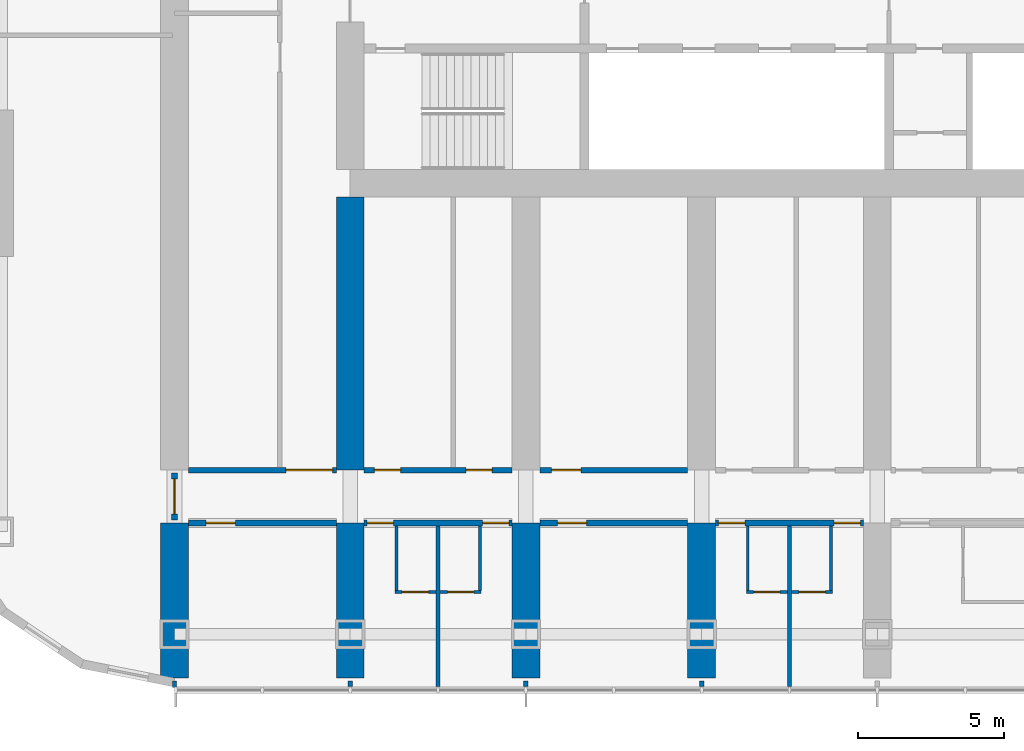
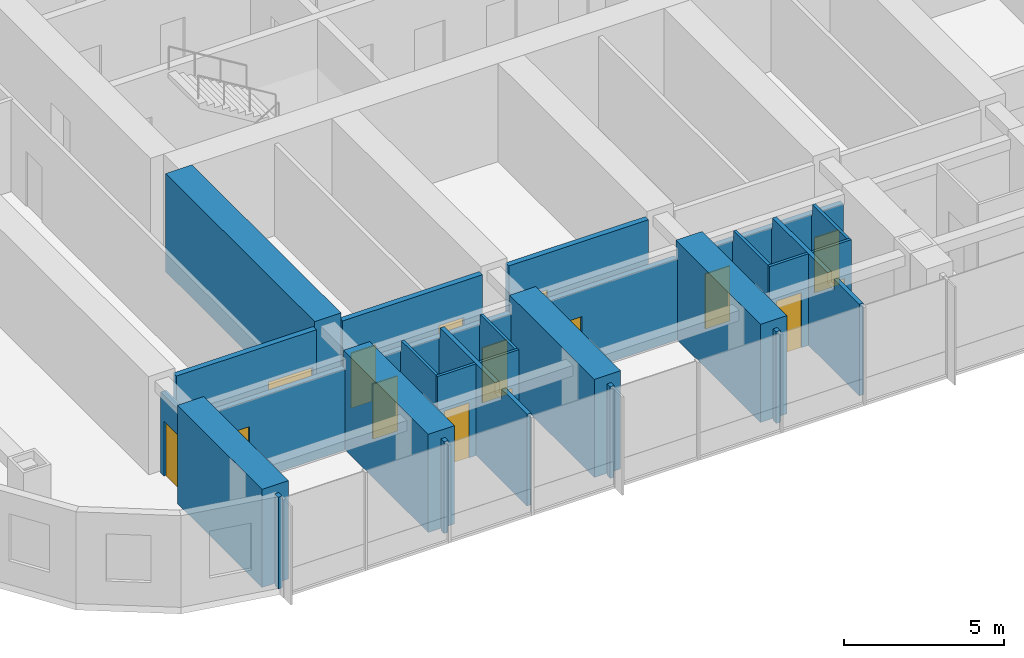
# One storey, part 8 of 21: 27 walls, 15 doors, 15 openings.
"""IFC4 building model written with IfcOpenShell, lengths in metres."""

import ifcopenshell
import ifcopenshell.guid

model = None  # the IFC model being written
_history = None  # IfcOwnerHistory: only IFC2X3 demands one
_inside = {}  # id of a spatial element -> (the spatial element, [elements in it])
_under = {}  # id of a project, library or spatial element -> (it, [spatial elements below it])
_declared = {}  # id of a project -> (the project, [libraries it declares])
_typed = {}  # id of a type object -> (the type object, [elements of that type])
_made_of = {}  # id of a material, layer set ... -> (it, [elements and type objects made of it])


def new_model(schema):
    """Start an empty IFC model of exactly this schema.

    Asked for "IFC4X3", IfcOpenShell would pick the latest addendum, in which some entities
    have other attributes; the version numbers below select the first issue.
    IFC2X3 requires an IfcOwnerHistory on every rooted entity: one is made here for all.
    """
    global model, _history
    if schema == "IFC4X3":
        model = ifcopenshell.file(schema_version=(4, 3, 0, 0))
    else:
        model = ifcopenshell.file(schema=schema)
    _inside.clear()
    _under.clear()
    _declared.clear()
    _typed.clear()
    _made_of.clear()
    _history = None
    if model.schema == "IFC2X3":
        org = make("IfcOrganization", Name="unknown")
        user = make(
            "IfcPersonAndOrganization",
            ThePerson=make("IfcPerson", FamilyName="unknown"),
            TheOrganization=org,
        )
        app = make(
            "IfcApplication",
            ApplicationDeveloper=org,
            Version="unknown",
            ApplicationFullName="unknown",
            ApplicationIdentifier="unknown",
        )
        _history = make(
            "IfcOwnerHistory",
            OwningUser=user,
            OwningApplication=app,
            ChangeAction="ADDED",
            CreationDate=0,
        )
    return model


def make(cls, **values):
    """One entity of the class cls with the attributes given. An attribute that is None is left unset."""
    return model.create_entity(
        cls, **{name: value for name, value in values.items() if value is not None}
    )


def rooted(cls, **values):
    """An entity with a GlobalId (a new one), such as an element, a storey or a relation."""
    return make(cls, GlobalId=ifcopenshell.guid.new(), OwnerHistory=_history, **values)


def si_unit(unit_type, name, prefix=None):
    """IfcSIUnit, for example si_unit("LENGTHUNIT", "METRE", prefix="MILLI")."""
    return make("IfcSIUnit", UnitType=unit_type, Prefix=prefix, Name=name)


def assignment(units):
    """IfcUnitAssignment: the units of a project."""
    return None if units is None else make("IfcUnitAssignment", Units=units)


def point(xyz):
    """IfcCartesianPoint."""
    return None if xyz is None else make("IfcCartesianPoint", Coordinates=xyz)


def direction(xyz):
    """IfcDirection."""
    return None if xyz is None else make("IfcDirection", DirectionRatios=xyz)


def frame(location, z_axis=None, x_axis=None):
    """IfcAxis2Placement3D, a coordinate frame: its origin and axes. An axis left out is left unset."""
    return make(
        "IfcAxis2Placement3D",
        Location=point(location),
        Axis=direction(z_axis),
        RefDirection=direction(x_axis),
    )


def frame_2d(location, x_axis=None):
    """IfcAxis2Placement2D, a coordinate frame in the plane: its origin and x axis."""
    return make(
        "IfcAxis2Placement2D", Location=point(location), RefDirection=direction(x_axis)
    )


def origin():
    """The frame at (0, 0, 0) with its axes left unset."""
    return frame((0.0, 0.0, 0.0))


def place(relative_to, where):
    """IfcLocalPlacement: puts the frame where relative to a parent placement (None: the world)."""
    return make(
        "IfcLocalPlacement", PlacementRelTo=relative_to, RelativePlacement=where
    )


def context(
    kind, dimensions, precision=None, world=None, true_north=None, identifier=None
):
    """IfcGeometricRepresentationContext, for example the 3D "Model" context."""
    return make(
        "IfcGeometricRepresentationContext",
        ContextIdentifier=identifier,
        ContextType=kind,
        CoordinateSpaceDimension=dimensions,
        Precision=precision,
        WorldCoordinateSystem=world,
        TrueNorth=true_north,
    )


def subcontext(parent, identifier, kind, view, scale=None):
    """IfcGeometricRepresentationSubContext, for example "Body" below "Model"."""
    return make(
        "IfcGeometricRepresentationSubContext",
        ContextIdentifier=identifier,
        ContextType=kind,
        ParentContext=parent,
        TargetScale=scale,
        TargetView=view,
    )


def project(units=None, contexts=None):
    """IfcProject with its units and contexts."""
    return rooted(
        "IfcProject",
        Name="project",
        RepresentationContexts=contexts,
        UnitsInContext=assignment(units),
    )


def spatial(cls, under=None, at=None, **own):
    """A site, building, storey or space (cls), placed at a placement, below another one or the project."""
    s = rooted(cls, ObjectPlacement=at, **own)
    if under is not None:
        _under.setdefault(under.id(), (under, []))[1].append(s)
    return s


def polyline(points):
    """IfcPolyline through the points."""
    return make("IfcPolyline", Points=[point(p) for p in points])


def profile(cls, at=None, kind="AREA", **sizes):
    """A parametric profile (cls). Its sizes go by their IFC names, for example OverallWidth=200.0."""
    return make(cls, ProfileType=kind, Position=at, **sizes)


def rectangle(**sizes):
    """IfcRectangleProfileDef."""
    return profile("IfcRectangleProfileDef", **sizes)


def outline(outer, holes=None, kind="AREA"):
    """IfcArbitraryClosedProfileDef: a profile drawn as a closed curve; with holes, ...WithVoids."""
    if holes is None:
        return make("IfcArbitraryClosedProfileDef", ProfileType=kind, OuterCurve=outer)
    return make(
        "IfcArbitraryProfileDefWithVoids",
        ProfileType=kind,
        OuterCurve=outer,
        InnerCurves=holes,
    )


def extrude(swept, where, along, depth):
    """IfcExtrudedAreaSolid: the profile swept, set in the frame where, extruded along a direction by depth."""
    return make(
        "IfcExtrudedAreaSolid",
        SweptArea=swept,
        Position=where,
        ExtrudedDirection=direction(along),
        Depth=depth,
    )


def shape(context_of_items, identifier, shape_type, items):
    """IfcShapeRepresentation: the items that make up one representation, for example the "Body"."""
    return make(
        "IfcShapeRepresentation",
        ContextOfItems=context_of_items,
        RepresentationIdentifier=identifier,
        RepresentationType=shape_type,
        Items=items,
    )


def material(Name=None, Category=None):
    """IfcMaterial."""
    return make("IfcMaterial", Name=Name, Category=Category)


def layer(
    of_material, thickness, ventilated=None, Name=None, Category=None, Priority=None
):
    """IfcMaterialLayer: one layer of a wall or slab, of a material (None: an air gap)."""
    return make(
        "IfcMaterialLayer",
        Material=of_material,
        LayerThickness=thickness,
        IsVentilated=ventilated,
        Name=Name,
        Category=Category,
        Priority=Priority,
    )


def layer_set(layers, Name=None):
    """IfcMaterialLayerSet."""
    return make("IfcMaterialLayerSet", MaterialLayers=layers, LayerSetName=Name)


def made_of(thing, what):
    """Note that an element or type object is made of a material, layer set ...; save() writes the relation."""
    if what is not None:
        _made_of.setdefault(what.id(), (what, []))[1].append(thing)
    return thing


def type_object(cls, material=None, **own):
    """A type object (cls), such as IfcWallType, which elements share."""
    return made_of(rooted(cls, **own), material)


def element(
    cls,
    number,
    at=None,
    inside=None,
    cuts=None,
    type_object=None,
    material=None,
    context=None,
    identifier="Body",
    shape_type=None,
    held_by="IfcProductDefinitionShape",
    body=None,
    shapes=None,
    **own,
):
    """One element of the class cls, such as IfcWall. Its Tag is "e" and its number.

    at: its placement. inside: the storey or other place that contains it. cuts: it is an
    opening in that element (IfcRelVoidsElement). A single representation is given by context,
    identifier, shape_type and body (its items); several are given by shapes. held_by: the class
    of the entity that holds the representations. save() writes the other relations.
    """
    e = rooted(cls, Tag="e%d" % number, ObjectPlacement=at, **own)
    if body is not None:
        shapes = [shape(context, identifier, shape_type, body)]
    if shapes is not None:
        e.Representation = make(held_by, Representations=shapes)
    if inside is not None:
        _inside.setdefault(inside.id(), (inside, []))[1].append(e)
    if cuts is not None:
        rooted(
            "IfcRelVoidsElement", RelatingBuildingElement=cuts, RelatedOpeningElement=e
        )
    if type_object is not None:
        _typed.setdefault(type_object.id(), (type_object, []))[1].append(e)
    return made_of(e, material)


def fill(opening, filler):
    """IfcRelFillsElement: the door or window that sits in an opening."""
    return rooted(
        "IfcRelFillsElement",
        RelatingOpeningElement=opening,
        RelatedBuildingElement=filler,
    )


def aggregate(whole, parts):
    """IfcRelAggregates: a whole, such as a stair, and the parts it consists of."""
    return rooted("IfcRelAggregates", RelatingObject=whole, RelatedObjects=parts)


def save(model, path):
    """Write the relations noted so far, then the file.

    IfcRelAggregates (storeys below a building ...), IfcRelContainedInSpatialStructure (elements
    in a storey), IfcRelDefinesByType, IfcRelAssociatesMaterial and IfcRelDeclares: one each for
    every whole, place, type object, material and project.
    """
    for whole, parts in _under.values():
        aggregate(whole, parts)
    for where, things in _inside.values():
        rooted(
            "IfcRelContainedInSpatialStructure",
            RelatedElements=things,
            RelatingStructure=where,
        )
    for kind, things in _typed.values():
        rooted("IfcRelDefinesByType", RelatedObjects=things, RelatingType=kind)
    for what, things in _made_of.values():
        rooted("IfcRelAssociatesMaterial", RelatedObjects=things, RelatingMaterial=what)
    for by, libraries in _declared.values():
        rooted("IfcRelDeclares", RelatingContext=by, RelatedDefinitions=libraries)
    model.write(path)


model = new_model("IFC4")

# Units and contexts
model_context = context("Model", 3, precision=1e-05, world=origin(), true_north=direction((0.0, 1.0)))
body_context = subcontext(model_context, "Body", "Model", "MODEL_VIEW")
ifc_project = project(units=[si_unit("LENGTHUNIT", "METRE"), si_unit("AREAUNIT", "SQUARE_METRE"), si_unit("VOLUMEUNIT", "CUBIC_METRE"), si_unit("PLANEANGLEUNIT", "RADIAN"), si_unit("MASSUNIT", "GRAM", prefix="KILO")], contexts=[model_context])

# Site, building, storey
site_placement = place(None, origin())
site = spatial("IfcSite", under=ifc_project, at=site_placement, CompositionType="ELEMENT")
building_placement = place(site_placement, origin())
building = spatial("IfcBuilding", under=site, at=building_placement, Name="Orbita Commons", CompositionType="ELEMENT")
storey_placement = place(building_placement, frame((0.0, 0.0, 91.89990234375)))
storey = spatial("IfcBuildingStorey", under=building, at=storey_placement, Name="L22", CompositionType="ELEMENT", Elevation=91.89990234375)

# Wall, opening, door
ifc_material_1 = material(Name="Concrete blockwork", Category="masonry")
ifc_layer_1 = layer(ifc_material_1, 0.199951171875)
ifc_layer_set_1 = layer_set([ifc_layer_1], Name="Concrete blockwork")
wall_type_1 = type_object("IfcWallType", Name="Corridor wall 200 blockwork", PredefinedType="SOLIDWALL", material=ifc_layer_set_1)
wall_1_placement = place(storey_placement, frame((12.47509765625, 14.199951171875, 0.0), z_axis=(0.0, 0.0, 1.0), x_axis=(1.0, 0.0, 0.0)))
wall_1 = element("IfcWall", 1, at=wall_1_placement, inside=storey, type_object=wall_type_1, Name="Corridor wall 200 blockwork L22", PredefinedType="SOLIDWALL", context=body_context, shape_type="SweptSolid", body=[
    extrude(outline(polyline([(0.0, 0.0), (5.0498046875, 0.0), (5.050048828125, 3.10009765625), (0.0, 3.10009765625), (0.0, 0.0)])), frame((0.0, 0.10009765625, 0.0), z_axis=(0.0, -1.0, 0.0), x_axis=(1.0, 0.0, 0.0)), (0.0, 0.0, 1.0), 0.199951171875),
])
opening_1_placement = place(wall_1_placement, frame((0.60009765625, 0.0, 0.0)))
opening_1 = element("IfcOpeningElement", 2, at=opening_1_placement, cuts=wall_1, Name="Opening D06", PredefinedType="OPENING", context=body_context, shape_type="SweptSolid", body=[
    extrude(rectangle(XDim=1.0, YDim=2.10009765625, at=frame_2d((0.5, 1.050048828125))), frame((0.0, 0.10986328125, 0.0), z_axis=(0.0, -1.0, 0.0), x_axis=(1.0, 0.0, 0.0)), (0.0, 0.0, 1.0), 0.219970703125),
])
ifc_material_2 = material(Name="Steel-faced fire door leaf", Category="steel")
door_type_1 = type_object("IfcDoorType", Name="Corridor door 20 min 1000x2100", OperationType="SINGLE_SWING_LEFT", PredefinedType="DOOR", material=ifc_material_2)
door_1_placement = place(opening_1_placement, origin())
door_1 = element("IfcDoor", 3, at=door_1_placement, inside=storey, type_object=door_type_1, Name="Mountain-view lounge L22-S00 door", OperationType="SINGLE_SWING_LEFT", OverallHeight=2.10009765625, OverallWidth=1.0, PredefinedType="DOOR", context=body_context, shape_type="SweptSolid", body=[
    extrude(rectangle(XDim=1.0, YDim=2.10009765625, at=frame_2d((0.5, 1.050048828125))), frame((0.0, 0.02490234375, 0.0), z_axis=(0.0, -1.0, 0.0), x_axis=(1.0, 0.0, 0.0)), (0.0, 0.0, 1.0), 0.050048828125),
])
fill(opening_1, door_1)

# Wall, openings, doors
wall_2_placement = place(storey_placement, frame((18.47509765625, 14.199951171875, 0.0), z_axis=(0.0, 0.0, 1.0), x_axis=(1.0, 0.0, 0.0)))
wall_2 = element("IfcWall", 4, at=wall_2_placement, inside=storey, type_object=wall_type_1, Name="Corridor wall 200 blockwork L22", PredefinedType="SOLIDWALL", context=body_context, shape_type="SweptSolid", body=[
    extrude(outline(polyline([(0.0, 0.0), (5.0498046875, 0.0), (5.050048828125, 3.10009765625), (0.0, 3.10009765625), (0.0, 0.0)])), frame((0.0, 0.10009765625, 0.0), z_axis=(0.0, -1.0, 0.0), x_axis=(1.0, 0.0, 0.0)), (0.0, 0.0, 1.0), 0.199951171875),
])
opening_2_placement = place(wall_2_placement, frame((0.10009765625, 0.0, 0.0)))
opening_2 = element("IfcOpeningElement", 5, at=opening_2_placement, cuts=wall_2, Name="Opening D11", PredefinedType="OPENING", context=body_context, shape_type="SweptSolid", body=[
    extrude(rectangle(XDim=0.89990234375, YDim=2.10009765625, at=frame_2d((0.449951171875, 1.050048828125))), frame((0.0, 0.10986328125, 0.0), z_axis=(0.0, -1.0, 0.0), x_axis=(1.0, 0.0, 0.0)), (0.0, 0.0, 1.0), 0.219970703125),
])
opening_3_placement = place(wall_2_placement, frame((4.050048828125, 0.0, 0.0)))
opening_3 = element("IfcOpeningElement", 6, at=opening_3_placement, cuts=wall_2, Name="Opening D11", PredefinedType="OPENING", context=body_context, shape_type="SweptSolid", body=[
    extrude(rectangle(XDim=0.89990234375, YDim=2.10009765625, at=frame_2d((0.449951171875, 1.050048828125))), frame((0.0, 0.10986328125, 0.0), z_axis=(0.0, -1.0, 0.0), x_axis=(1.0, 0.0, 0.0)), (0.0, 0.0, 1.0), 0.219970703125),
])
ifc_material_3 = material(Name="Steel-faced fire door leaf", Category="steel")
door_type_2 = type_object("IfcDoorType", Name="Corridor door 20 min 900x2100", OperationType="SINGLE_SWING_LEFT", PredefinedType="DOOR", material=ifc_material_3)
door_2_placement = place(opening_2_placement, origin())
door_2 = element("IfcDoor", 7, at=door_2_placement, inside=storey, type_object=door_type_2, Name="Cluster bedroom L22-S02 door", OperationType="SINGLE_SWING_LEFT", OverallHeight=2.10009765625, OverallWidth=0.89990234375, PredefinedType="DOOR", context=body_context, shape_type="SweptSolid", body=[
    extrude(rectangle(XDim=0.89990234375, YDim=2.10009765625, at=frame_2d((0.449951171875, 1.050048828125))), frame((0.0, 0.02490234375, 0.0), z_axis=(0.0, -1.0, 0.0), x_axis=(1.0, 0.0, 0.0)), (0.0, 0.0, 1.0), 0.050048828125),
])
fill(opening_2, door_2)
door_3_placement = place(opening_3_placement, origin())
door_3 = element("IfcDoor", 8, at=door_3_placement, inside=storey, type_object=door_type_2, Name="Cluster bedroom L22-S03 door", OperationType="SINGLE_SWING_LEFT", OverallHeight=2.10009765625, OverallWidth=0.89990234375, PredefinedType="DOOR", context=body_context, shape_type="SweptSolid", body=[
    extrude(rectangle(XDim=0.89990234375, YDim=2.10009765625, at=frame_2d((0.449951171875, 1.050048828125))), frame((0.0, 0.02490234375, 0.0), z_axis=(0.0, -1.0, 0.0), x_axis=(1.0, 0.0, 0.0)), (0.0, 0.0, 1.0), 0.050048828125),
])
fill(opening_3, door_3)

# Wall, opening, door
wall_3_placement = place(storey_placement, frame((24.47509765625, 14.199951171875, 0.0), z_axis=(0.0, 0.0, 1.0), x_axis=(1.0, 0.0, 0.0)))
wall_3 = element("IfcWall", 9, at=wall_3_placement, inside=storey, type_object=wall_type_1, Name="Corridor wall 200 blockwork L22", PredefinedType="SOLIDWALL", context=body_context, shape_type="SweptSolid", body=[
    extrude(outline(polyline([(0.0, 0.0), (5.0498046875, 0.0), (5.050048828125, 3.10009765625), (0.0, 3.10009765625), (0.0, 0.0)])), frame((0.0, 0.10009765625, 0.0), z_axis=(0.0, -1.0, 0.0), x_axis=(1.0, 0.0, 0.0)), (0.0, 0.0, 1.0), 0.199951171875),
])
opening_4_placement = place(wall_3_placement, frame((0.60009765625, 0.0, 0.0)))
opening_4 = element("IfcOpeningElement", 10, at=opening_4_placement, cuts=wall_3, Name="Opening D06", PredefinedType="OPENING", context=body_context, shape_type="SweptSolid", body=[
    extrude(rectangle(XDim=1.0, YDim=2.10009765625, at=frame_2d((0.5, 1.050048828125))), frame((0.0, 0.10986328125, 0.0), z_axis=(0.0, -1.0, 0.0), x_axis=(1.0, 0.0, 0.0)), (0.0, 0.0, 1.0), 0.219970703125),
])
door_4_placement = place(opening_4_placement, origin())
door_4 = element("IfcDoor", 11, at=door_4_placement, inside=storey, type_object=door_type_1, Name="Mountain-view lounge L22-S04 door", OperationType="SINGLE_SWING_LEFT", OverallHeight=2.10009765625, OverallWidth=1.0, PredefinedType="DOOR", context=body_context, shape_type="SweptSolid", body=[
    extrude(rectangle(XDim=1.0, YDim=2.10009765625, at=frame_2d((0.5, 1.050048828125))), frame((0.0, 0.02490234375, 0.0), z_axis=(0.0, -1.0, 0.0), x_axis=(1.0, 0.0, 0.0)), (0.0, 0.0, 1.0), 0.050048828125),
])
fill(opening_4, door_4)

# Wall, openings, doors
wall_4_placement = place(storey_placement, frame((30.47509765625, 14.199951171875, 0.0), z_axis=(0.0, 0.0, 1.0), x_axis=(1.0, 0.0, 0.0)))
wall_4 = element("IfcWall", 12, at=wall_4_placement, inside=storey, type_object=wall_type_1, Name="Corridor wall 200 blockwork L22", PredefinedType="SOLIDWALL", context=body_context, shape_type="SweptSolid", body=[
    extrude(outline(polyline([(0.0, 0.0), (5.0498046875, 0.0), (5.050048828125, 3.10009765625), (0.0, 3.10009765625), (0.0, 0.0)])), frame((0.0, 0.10009765625, 0.0), z_axis=(0.0, -1.0, 0.0), x_axis=(1.0, 0.0, 0.0)), (0.0, 0.0, 1.0), 0.199951171875),
])
opening_5_placement = place(wall_4_placement, frame((0.10009765625, 0.0, 0.0)))
opening_5 = element("IfcOpeningElement", 13, at=opening_5_placement, cuts=wall_4, Name="Opening D11", PredefinedType="OPENING", context=body_context, shape_type="SweptSolid", body=[
    extrude(rectangle(XDim=0.89990234375, YDim=2.10009765625, at=frame_2d((0.449951171875, 1.050048828125))), frame((0.0, 0.10986328125, 0.0), z_axis=(0.0, -1.0, 0.0), x_axis=(1.0, 0.0, 0.0)), (0.0, 0.0, 1.0), 0.219970703125),
])
opening_6_placement = place(wall_4_placement, frame((4.050048828125, 0.0, 0.0)))
opening_6 = element("IfcOpeningElement", 14, at=opening_6_placement, cuts=wall_4, Name="Opening D11", PredefinedType="OPENING", context=body_context, shape_type="SweptSolid", body=[
    extrude(rectangle(XDim=0.89990234375, YDim=2.10009765625, at=frame_2d((0.449951171875, 1.050048828125))), frame((0.0, 0.10986328125, 0.0), z_axis=(0.0, -1.0, 0.0), x_axis=(1.0, 0.0, 0.0)), (0.0, 0.0, 1.0), 0.219970703125),
])
door_5_placement = place(opening_5_placement, origin())
door_5 = element("IfcDoor", 15, at=door_5_placement, inside=storey, type_object=door_type_2, Name="Cluster bedroom L22-S06 door", OperationType="SINGLE_SWING_LEFT", OverallHeight=2.10009765625, OverallWidth=0.89990234375, PredefinedType="DOOR", context=body_context, shape_type="SweptSolid", body=[
    extrude(rectangle(XDim=0.89990234375, YDim=2.10009765625, at=frame_2d((0.449951171875, 1.050048828125))), frame((0.0, 0.02490234375, 0.0), z_axis=(0.0, -1.0, 0.0), x_axis=(1.0, 0.0, 0.0)), (0.0, 0.0, 1.0), 0.050048828125),
])
fill(opening_5, door_5)
door_6_placement = place(opening_6_placement, origin())
door_6 = element("IfcDoor", 16, at=door_6_placement, inside=storey, type_object=door_type_2, Name="Cluster bedroom L22-S07 door", OperationType="SINGLE_SWING_LEFT", OverallHeight=2.10009765625, OverallWidth=0.89990234375, PredefinedType="DOOR", context=body_context, shape_type="SweptSolid", body=[
    extrude(rectangle(XDim=0.89990234375, YDim=2.10009765625, at=frame_2d((0.449951171875, 1.050048828125))), frame((0.0, 0.02490234375, 0.0), z_axis=(0.0, -1.0, 0.0), x_axis=(1.0, 0.0, 0.0)), (0.0, 0.0, 1.0), 0.050048828125),
])
fill(opening_6, door_6)

# Wall, opening, door
wall_5_placement = place(storey_placement, frame((12.0, 14.300048828125, 0.0), z_axis=(0.0, 0.0, 1.0), x_axis=(0.0, 1.0, 0.0)))
wall_5 = element("IfcWall", 17, at=wall_5_placement, inside=storey, type_object=wall_type_1, Name="Corridor wall 200 blockwork L22", PredefinedType="SOLIDWALL", context=body_context, shape_type="SweptSolid", body=[
    extrude(outline(polyline([(0.0, 0.0), (1.599853515625, 0.0), (1.60009765625, 3.10009765625), (0.0, 3.10009765625), (0.0, 0.0)])), frame((0.0, 0.10009765625, 0.0), z_axis=(0.0, -1.0, 0.0), x_axis=(1.0, 0.0, 0.0)), (0.0, 0.0, 1.0), 0.199951171875),
])
opening_7_placement = place(wall_5_placement, frame((0.199951171875, 0.0, 0.0)))
opening_7 = element("IfcOpeningElement", 18, at=opening_7_placement, cuts=wall_5, Name="Opening D12", PredefinedType="OPENING", context=body_context, shape_type="SweptSolid", body=[
    extrude(rectangle(XDim=1.199951171875, YDim=2.10009765625, at=frame_2d((0.60009765625, 1.050048828125))), frame((0.0, 0.10986328125, 0.0), z_axis=(0.0, -1.0, 0.0), x_axis=(1.0, 0.0, 0.0)), (0.0, 0.0, 1.0), 0.219970703125),
])
ifc_material_4 = material(Name="Steel-faced fire door leaf", Category="steel")
door_type_3 = type_object("IfcDoorType", Name="Double corridor door 20 min 1200x2100", OperationType="DOUBLE_DOOR_SINGLE_SWING", PredefinedType="DOOR", material=ifc_material_4)
door_7_placement = place(opening_7_placement, origin())
door_7 = element("IfcDoor", 19, at=door_7_placement, inside=storey, type_object=door_type_3, Name="Lounge doors", OperationType="DOUBLE_DOOR_SINGLE_SWING", OverallHeight=2.10009765625, OverallWidth=1.199951171875, PredefinedType="DOOR", context=body_context, shape_type="SweptSolid", body=[
    extrude(rectangle(XDim=1.199951171875, YDim=2.10009765625, at=frame_2d((0.60009765625, 1.050048828125))), frame((0.0, 0.02490234375, 0.0), z_axis=(0.0, -1.0, 0.0), x_axis=(1.0, 0.0, 0.0)), (0.0, 0.0, 1.0), 0.050048828125),
])
fill(opening_7, door_7)

ifc_material_5 = material(Name="Hollow concrete block 200", Category="concrete")
ifc_layer_2 = layer(ifc_material_5, 0.199951171875)
ifc_layer_set_2 = layer_set([ifc_layer_2], Name="Hollow concrete block 200")
wall_type_2 = type_object("IfcWallType", Name="Corridor wall 200 hollow concrete block", PredefinedType="SOLIDWALL", material=ifc_layer_set_2)
wall_6_placement = place(storey_placement, frame((12.47509765625, 16.0, 0.0), z_axis=(0.0, 0.0, 1.0), x_axis=(1.0, 0.0, 0.0)))
wall_6 = element("IfcWall", 20, at=wall_6_placement, inside=storey, type_object=wall_type_2, Name="Corridor wall 200 hollow concrete block L22", PredefinedType="SOLIDWALL", context=body_context, shape_type="SweptSolid", body=[
    extrude(rectangle(XDim=5.0498046875, YDim=0.199951171875, at=frame_2d((2.52490234375, 0.0))), origin(), (0.0, 0.0, 1.0), 3.5),
])
opening_8_placement = place(wall_6_placement, frame((3.324951171875, 0.0, 0.0)))
opening_8 = element("IfcOpeningElement", 21, at=opening_8_placement, cuts=wall_6, Name="Opening D10", PredefinedType="OPENING", context=body_context, shape_type="SweptSolid", body=[
    extrude(rectangle(XDim=1.60009765625, YDim=2.10009765625, at=frame_2d((0.800048828125, 1.050048828125))), frame((0.0, 0.10986328125, 0.0), z_axis=(0.0, -1.0, 0.0), x_axis=(1.0, 0.0, 0.0)), (0.0, 0.0, 1.0), 0.219970703125),
])
ifc_material_6 = material(Name="Steel-faced fire door leaf", Category="steel")
door_type_4 = type_object("IfcDoorType", Name="Double corridor door 20 min 1600x2100", OperationType="DOUBLE_DOOR_SINGLE_SWING", PredefinedType="DOOR", material=ifc_material_6)
door_8_placement = place(opening_8_placement, origin())
door_8 = element("IfcDoor", 22, at=door_8_placement, inside=storey, type_object=door_type_4, Name="Cross corridor doors", OperationType="DOUBLE_DOOR_SINGLE_SWING", OverallHeight=2.10009765625, OverallWidth=1.60009765625, PredefinedType="DOOR", context=body_context, shape_type="SweptSolid", body=[
    extrude(rectangle(XDim=1.60009765625, YDim=2.10009765625, at=frame_2d((0.800048828125, 1.050048828125))), frame((0.0, 0.02490234375, 0.0), z_axis=(0.0, -1.0, 0.0), x_axis=(1.0, 0.0, 0.0)), (0.0, 0.0, 1.0), 0.050048828125),
])
fill(opening_8, door_8)

# Wall, openings, doors
wall_7_placement = place(storey_placement, frame((18.47509765625, 16.0, 0.0), z_axis=(0.0, 0.0, 1.0), x_axis=(1.0, 0.0, 0.0)))
wall_7 = element("IfcWall", 23, at=wall_7_placement, inside=storey, type_object=wall_type_2, Name="Corridor wall 200 hollow concrete block L22", PredefinedType="SOLIDWALL", context=body_context, shape_type="SweptSolid", body=[
    extrude(rectangle(XDim=5.0498046875, YDim=0.199951171875, at=frame_2d((2.52490234375, 0.0))), origin(), (0.0, 0.0, 1.0), 3.5),
])
opening_9_placement = place(wall_7_placement, frame((0.35009765625, 0.0, 0.0)))
opening_9 = element("IfcOpeningElement", 24, at=opening_9_placement, cuts=wall_7, Name="Opening D11", PredefinedType="OPENING", context=body_context, shape_type="SweptSolid", body=[
    extrude(rectangle(XDim=0.89990234375, YDim=2.10009765625, at=frame_2d((0.449951171875, 1.050048828125))), frame((0.0, 0.10986328125, 0.0), z_axis=(0.0, -1.0, 0.0), x_axis=(1.0, 0.0, 0.0)), (0.0, 0.0, 1.0), 0.219970703125),
])
opening_10_placement = place(wall_7_placement, frame((3.47509765625, 0.0, 0.0)))
opening_10 = element("IfcOpeningElement", 25, at=opening_10_placement, cuts=wall_7, Name="Opening D11", PredefinedType="OPENING", context=body_context, shape_type="SweptSolid", body=[
    extrude(rectangle(XDim=0.89990234375, YDim=2.10009765625, at=frame_2d((0.449951171875, 1.050048828125))), frame((0.0, 0.10986328125, 0.0), z_axis=(0.0, -1.0, 0.0), x_axis=(1.0, 0.0, 0.0)), (0.0, 0.0, 1.0), 0.219970703125),
])
door_9_placement = place(opening_9_placement, origin())
door_9 = element("IfcDoor", 26, at=door_9_placement, inside=storey, type_object=door_type_2, Name="Quiet room L22-BDS18 door", OperationType="SINGLE_SWING_LEFT", OverallHeight=2.10009765625, OverallWidth=0.89990234375, PredefinedType="DOOR", context=body_context, shape_type="SweptSolid", body=[
    extrude(rectangle(XDim=0.89990234375, YDim=2.10009765625, at=frame_2d((0.449951171875, 1.050048828125))), frame((0.0, 0.02490234375, 0.0), z_axis=(0.0, -1.0, 0.0), x_axis=(1.0, 0.0, 0.0)), (0.0, 0.0, 1.0), 0.050048828125),
])
fill(opening_9, door_9)
door_10_placement = place(opening_10_placement, origin())
door_10 = element("IfcDoor", 27, at=door_10_placement, inside=storey, type_object=door_type_2, Name="Accessible WC and shower room L22-BDS18n door", OperationType="SINGLE_SWING_LEFT", OverallHeight=2.10009765625, OverallWidth=0.89990234375, PredefinedType="DOOR", context=body_context, shape_type="SweptSolid", body=[
    extrude(rectangle(XDim=0.89990234375, YDim=2.10009765625, at=frame_2d((0.449951171875, 1.050048828125))), frame((0.0, 0.02490234375, 0.0), z_axis=(0.0, -1.0, 0.0), x_axis=(1.0, 0.0, 0.0)), (0.0, 0.0, 1.0), 0.050048828125),
])
fill(opening_10, door_10)

# Wall, opening, door
wall_8_placement = place(storey_placement, frame((24.47509765625, 16.0, 0.0), z_axis=(0.0, 0.0, 1.0), x_axis=(1.0, 0.0, 0.0)))
wall_8 = element("IfcWall", 28, at=wall_8_placement, inside=storey, type_object=wall_type_2, Name="Corridor wall 200 hollow concrete block L22", PredefinedType="SOLIDWALL", context=body_context, shape_type="SweptSolid", body=[
    extrude(rectangle(XDim=5.0498046875, YDim=0.199951171875, at=frame_2d((2.52490234375, 0.0))), origin(), (0.0, 0.0, 1.0), 3.5),
])
opening_11_placement = place(wall_8_placement, frame((0.39990234375, 0.0, 0.0)))
opening_11 = element("IfcOpeningElement", 29, at=opening_11_placement, cuts=wall_8, Name="Opening D06", PredefinedType="OPENING", context=body_context, shape_type="SweptSolid", body=[
    extrude(rectangle(XDim=1.0, YDim=2.10009765625, at=frame_2d((0.5, 1.050048828125))), frame((0.0, 0.10986328125, 0.0), z_axis=(0.0, -1.0, 0.0), x_axis=(1.0, 0.0, 0.0)), (0.0, 0.0, 1.0), 0.219970703125),
])
door_11_placement = place(opening_11_placement, origin())
door_11 = element("IfcDoor", 30, at=door_11_placement, inside=storey, type_object=door_type_1, Name="Ventilation plant room south L22-BDS24 door", OperationType="SINGLE_SWING_LEFT", OverallHeight=2.10009765625, OverallWidth=1.0, PredefinedType="DOOR", context=body_context, shape_type="SweptSolid", body=[
    extrude(rectangle(XDim=1.0, YDim=2.10009765625, at=frame_2d((0.5, 1.050048828125))), frame((0.0, 0.02490234375, 0.0), z_axis=(0.0, -1.0, 0.0), x_axis=(1.0, 0.0, 0.0)), (0.0, 0.0, 1.0), 0.050048828125),
])
fill(opening_11, door_11)

# Walls
ifc_material_7 = material(Name="Concrete C50/60", Category="concrete")
ifc_layer_3 = layer(ifc_material_7, 0.949951171875)
ifc_layer_set_3 = layer_set([ifc_layer_3], Name="Concrete C50/60")
wall_type_3 = type_object("IfcWallType", Name="Cross wall 950 C50/60", PredefinedType="SHEAR", material=ifc_layer_set_3)
for number, where, z_axis, x_axis, name in (
    (31, (12.0, 8.89990234375, 0.0), (0.0, 0.0, 1.0), (0.0, 1.0, 0.0), "Cross wall 3 south outer L22"),
    (32, (18.0, 8.89990234375, 0.0), (0.0, 0.0, 1.0), (0.0, 1.0, 0.0), "Cross wall 4 south outer L22"),
):
    element("IfcWall", number, at=place(storey_placement, frame(where, z_axis=z_axis, x_axis=x_axis)), inside=storey, type_object=wall_type_3, Name=name, PredefinedType="SHEAR", context=body_context, shape_type="SweptSolid", body=[
        extrude(rectangle(XDim=5.300048828125, YDim=0.949951171875, at=frame_2d((2.64990234375, 0.0))), origin(), (0.0, 0.0, 1.0), 3.75),
    ])
wall_9_placement = place(storey_placement, frame((18.0, 16.0, 0.0), z_axis=(0.0, 0.0, 1.0), x_axis=(0.0, 1.0, 0.0)))
element("IfcWall", 33, at=wall_9_placement, inside=storey, type_object=wall_type_3, Name="Cross wall 4 south inner L22", PredefinedType="SHEAR", context=body_context, shape_type="SweptSolid", body=[
    extrude(rectangle(XDim=9.324951171875, YDim=0.949951171875, at=frame_2d((4.66259765625, 0.0))), origin(), (0.0, 0.0, 1.0), 3.75),
])
for number, where, z_axis, x_axis, name in (
    (34, (24.0, 8.89990234375, 0.0), (0.0, 0.0, 1.0), (0.0, 1.0, 0.0), "Cross wall 5 south outer L22"),
    (35, (30.0, 8.89990234375, 0.0), (0.0, 0.0, 1.0), (0.0, 1.0, 0.0), "Cross wall 6 south outer L22"),
):
    element("IfcWall", number, at=place(storey_placement, frame(where, z_axis=z_axis, x_axis=x_axis)), inside=storey, type_object=wall_type_3, Name=name, PredefinedType="SHEAR", context=body_context, shape_type="SweptSolid", body=[
        extrude(rectangle(XDim=5.300048828125, YDim=0.949951171875, at=frame_2d((2.64990234375, 0.0))), origin(), (0.0, 0.0, 1.0), 3.75),
    ])

# Wall, opening, door
ifc_material_8 = material(Name="Moisture-resistant plasterboard on steel studs", Category="steel")
ifc_layer_4 = layer(ifc_material_8, 0.10009765625)
ifc_layer_set_4 = layer_set([ifc_layer_4], Name="Moisture-resistant plasterboard on steel studs")
wall_type_4 = type_object("IfcWallType", Name="En-suite partition 100", PredefinedType="PARTITIONING", material=ifc_layer_set_4)
wall_10_placement = place(storey_placement, frame((20.925048828125, 11.8408203125, 0.0), z_axis=(0.0, 0.0, 1.0), x_axis=(-1.0, 0.0, 0.0)))
wall_10 = element("IfcWall", 36, at=wall_10_placement, inside=storey, type_object=wall_type_4, Name="En-suite partition 100 L22", PredefinedType="PARTITIONING", context=body_context, shape_type="SweptSolid", body=[
    extrude(rectangle(XDim=1.400146484375, YDim=0.10009765625, at=frame_2d((0.7001953125, 0.0))), origin(), (0.0, 0.0, 1.0), 3.5),
])
opening_12_placement = place(wall_10_placement, frame((0.25, 0.0, 0.0)))
opening_12 = element("IfcOpeningElement", 37, at=opening_12_placement, cuts=wall_10, Name="Opening D09", PredefinedType="OPENING", context=body_context, shape_type="SweptSolid", body=[
    extrude(rectangle(XDim=0.89990234375, YDim=2.10009765625, at=frame_2d((0.449951171875, 1.050048828125))), frame((0.0, 0.06005859375, 0.0), z_axis=(0.0, -1.0, 0.0), x_axis=(1.0, 0.0, 0.0)), (0.0, 0.0, 1.0), 0.1201171875),
])
ifc_material_9 = material(Name="Laminated timber door leaf", Category="wood")
door_type_5 = type_object("IfcDoorType", Name="En-suite door 900x2100", OperationType="SINGLE_SWING_RIGHT", PredefinedType="DOOR", material=ifc_material_9)
door_12_placement = place(opening_12_placement, origin())
door_12 = element("IfcDoor", 38, at=door_12_placement, inside=storey, type_object=door_type_5, Name="En-suite L22-S02 door", OperationType="SINGLE_SWING_RIGHT", OverallHeight=2.10009765625, OverallWidth=0.89990234375, PredefinedType="DOOR", context=body_context, shape_type="SweptSolid", body=[
    extrude(rectangle(XDim=0.89990234375, YDim=2.10009765625, at=frame_2d((0.449951171875, 1.050048828125))), frame((0.0, 0.02490234375, 0.0), z_axis=(0.0, -1.0, 0.0), x_axis=(1.0, 0.0, 0.0)), (0.0, 0.0, 1.0), 0.050048828125),
])
fill(opening_12, door_12)

# Wall
wall_11_placement = place(storey_placement, frame((19.574951171875, 11.890625, 0.0), z_axis=(0.0, 0.0, 1.0), x_axis=(0.0, 1.0, 0.0)))
element("IfcWall", 39, at=wall_11_placement, inside=storey, type_object=wall_type_4, Name="En-suite partition 100 L22", PredefinedType="PARTITIONING", context=body_context, shape_type="SweptSolid", body=[
    extrude(outline(polyline([(0.0, 0.0), (2.20947265625, 0.0), (2.209228515625, 3.10009765625), (2.161376953125, 3.10009765625), (2.1591796875, 3.5), (0.0, 3.5), (0.0, 0.0)])), frame((0.0, 0.050048828125, 0.0), z_axis=(0.0, -1.0, 0.0), x_axis=(1.0, 0.0, 0.0)), (0.0, 0.0, 1.0), 0.10009765625),
])

# Wall, opening, door
wall_12_placement = place(storey_placement, frame((22.47509765625, 11.8408203125, 0.0), z_axis=(0.0, 0.0, 1.0), x_axis=(-1.0, 0.0, 0.0)))
wall_12 = element("IfcWall", 40, at=wall_12_placement, inside=storey, type_object=wall_type_4, Name="En-suite partition 100 L22", PredefinedType="PARTITIONING", context=body_context, shape_type="SweptSolid", body=[
    extrude(rectangle(XDim=1.400146484375, YDim=0.10009765625, at=frame_2d((0.7001953125, 0.0))), origin(), (0.0, 0.0, 1.0), 3.5),
])
opening_13_placement = place(wall_12_placement, frame((0.25, 0.0, 0.0)))
opening_13 = element("IfcOpeningElement", 41, at=opening_13_placement, cuts=wall_12, Name="Opening D09", PredefinedType="OPENING", context=body_context, shape_type="SweptSolid", body=[
    extrude(rectangle(XDim=0.89990234375, YDim=2.10009765625, at=frame_2d((0.449951171875, 1.050048828125))), frame((0.0, 0.06005859375, 0.0), z_axis=(0.0, -1.0, 0.0), x_axis=(1.0, 0.0, 0.0)), (0.0, 0.0, 1.0), 0.1201171875),
])
door_13_placement = place(opening_13_placement, origin())
door_13 = element("IfcDoor", 42, at=door_13_placement, inside=storey, type_object=door_type_5, Name="En-suite L22-S03 door", OperationType="SINGLE_SWING_RIGHT", OverallHeight=2.10009765625, OverallWidth=0.89990234375, PredefinedType="DOOR", context=body_context, shape_type="SweptSolid", body=[
    extrude(rectangle(XDim=0.89990234375, YDim=2.10009765625, at=frame_2d((0.449951171875, 1.050048828125))), frame((0.0, 0.02490234375, 0.0), z_axis=(0.0, -1.0, 0.0), x_axis=(1.0, 0.0, 0.0)), (0.0, 0.0, 1.0), 0.050048828125),
])
fill(opening_13, door_13)

# Wall
wall_13_placement = place(storey_placement, frame((22.425048828125, 11.890625, 0.0), z_axis=(0.0, 0.0, 1.0), x_axis=(0.0, 1.0, 0.0)))
element("IfcWall", 43, at=wall_13_placement, inside=storey, type_object=wall_type_4, Name="En-suite partition 100 L22", PredefinedType="PARTITIONING", context=body_context, shape_type="SweptSolid", body=[
    extrude(outline(polyline([(0.0, 0.0), (2.20947265625, 0.0), (2.209228515625, 3.10009765625), (2.161376953125, 3.10009765625), (2.1591796875, 3.5), (0.0, 3.5), (0.0, 0.0)])), frame((0.0, 0.050048828125, 0.0), z_axis=(0.0, -1.0, 0.0), x_axis=(1.0, 0.0, 0.0)), (0.0, 0.0, 1.0), 0.10009765625),
])

# Wall, opening, door
wall_14_placement = place(storey_placement, frame((32.925048828125, 11.8408203125, 0.0), z_axis=(0.0, 0.0, 1.0), x_axis=(-1.0, 0.0, 0.0)))
wall_14 = element("IfcWall", 44, at=wall_14_placement, inside=storey, type_object=wall_type_4, Name="En-suite partition 100 L22", PredefinedType="PARTITIONING", context=body_context, shape_type="SweptSolid", body=[
    extrude(rectangle(XDim=1.400146484375, YDim=0.10009765625, at=frame_2d((0.7001953125, 0.0))), origin(), (0.0, 0.0, 1.0), 3.5),
])
opening_14_placement = place(wall_14_placement, frame((0.25, 0.0, 0.0)))
opening_14 = element("IfcOpeningElement", 45, at=opening_14_placement, cuts=wall_14, Name="Opening D09", PredefinedType="OPENING", context=body_context, shape_type="SweptSolid", body=[
    extrude(rectangle(XDim=0.89990234375, YDim=2.10009765625, at=frame_2d((0.449951171875, 1.050048828125))), frame((0.0, 0.06005859375, 0.0), z_axis=(0.0, -1.0, 0.0), x_axis=(1.0, 0.0, 0.0)), (0.0, 0.0, 1.0), 0.1201171875),
])
door_14_placement = place(opening_14_placement, origin())
door_14 = element("IfcDoor", 46, at=door_14_placement, inside=storey, type_object=door_type_5, Name="En-suite L22-S06 door", OperationType="SINGLE_SWING_RIGHT", OverallHeight=2.10009765625, OverallWidth=0.89990234375, PredefinedType="DOOR", context=body_context, shape_type="SweptSolid", body=[
    extrude(rectangle(XDim=0.89990234375, YDim=2.10009765625, at=frame_2d((0.449951171875, 1.050048828125))), frame((0.0, 0.02490234375, 0.0), z_axis=(0.0, -1.0, 0.0), x_axis=(1.0, 0.0, 0.0)), (0.0, 0.0, 1.0), 0.050048828125),
])
fill(opening_14, door_14)

# Wall
wall_15_placement = place(storey_placement, frame((31.574951171875, 11.890625, 0.0), z_axis=(0.0, 0.0, 1.0), x_axis=(0.0, 1.0, 0.0)))
element("IfcWall", 47, at=wall_15_placement, inside=storey, type_object=wall_type_4, Name="En-suite partition 100 L22", PredefinedType="PARTITIONING", context=body_context, shape_type="SweptSolid", body=[
    extrude(outline(polyline([(0.0, 0.0), (2.20947265625, 0.0), (2.209228515625, 3.10009765625), (2.161376953125, 3.10009765625), (2.1591796875, 3.5), (0.0, 3.5), (0.0, 0.0)])), frame((0.0, 0.050048828125, 0.0), z_axis=(0.0, -1.0, 0.0), x_axis=(1.0, 0.0, 0.0)), (0.0, 0.0, 1.0), 0.10009765625),
])

# Wall, opening, door
wall_16_placement = place(storey_placement, frame((34.47509765625, 11.8408203125, 0.0), z_axis=(0.0, 0.0, 1.0), x_axis=(-1.0, 0.0, 0.0)))
wall_16 = element("IfcWall", 48, at=wall_16_placement, inside=storey, type_object=wall_type_4, Name="En-suite partition 100 L22", PredefinedType="PARTITIONING", context=body_context, shape_type="SweptSolid", body=[
    extrude(rectangle(XDim=1.400146484375, YDim=0.10009765625, at=frame_2d((0.7001953125, 0.0))), origin(), (0.0, 0.0, 1.0), 3.5),
])
opening_15_placement = place(wall_16_placement, frame((0.25, 0.0, 0.0)))
opening_15 = element("IfcOpeningElement", 49, at=opening_15_placement, cuts=wall_16, Name="Opening D09", PredefinedType="OPENING", context=body_context, shape_type="SweptSolid", body=[
    extrude(rectangle(XDim=0.89990234375, YDim=2.10009765625, at=frame_2d((0.449951171875, 1.050048828125))), frame((0.0, 0.06005859375, 0.0), z_axis=(0.0, -1.0, 0.0), x_axis=(1.0, 0.0, 0.0)), (0.0, 0.0, 1.0), 0.1201171875),
])
door_15_placement = place(opening_15_placement, origin())
door_15 = element("IfcDoor", 50, at=door_15_placement, inside=storey, type_object=door_type_5, Name="En-suite L22-S07 door", OperationType="SINGLE_SWING_RIGHT", OverallHeight=2.10009765625, OverallWidth=0.89990234375, PredefinedType="DOOR", context=body_context, shape_type="SweptSolid", body=[
    extrude(rectangle(XDim=0.89990234375, YDim=2.10009765625, at=frame_2d((0.449951171875, 1.050048828125))), frame((0.0, 0.02490234375, 0.0), z_axis=(0.0, -1.0, 0.0), x_axis=(1.0, 0.0, 0.0)), (0.0, 0.0, 1.0), 0.050048828125),
])
fill(opening_15, door_15)

# Walls
wall_17_placement = place(storey_placement, frame((34.425048828125, 11.890625, 0.0), z_axis=(0.0, 0.0, 1.0), x_axis=(0.0, 1.0, 0.0)))
element("IfcWall", 51, at=wall_17_placement, inside=storey, type_object=wall_type_4, Name="En-suite partition 100 L22", PredefinedType="PARTITIONING", context=body_context, shape_type="SweptSolid", body=[
    extrude(outline(polyline([(0.0, 0.0), (2.20947265625, 0.0), (2.209228515625, 3.10009765625), (2.161376953125, 3.10009765625), (2.1591796875, 3.5), (0.0, 3.5), (0.0, 0.0)])), frame((0.0, 0.050048828125, 0.0), z_axis=(0.0, -1.0, 0.0), x_axis=(1.0, 0.0, 0.0)), (0.0, 0.0, 1.0), 0.10009765625),
])
ifc_material_10 = material(Name="Gypsum plasterboard on steel studs", Category="steel")
ifc_layer_5 = layer(ifc_material_10, 0.14990234375)
ifc_layer_set_5 = layer_set([ifc_layer_5], Name="Gypsum plasterboard on steel studs")
wall_type_5 = type_object("IfcWallType", Name="Partition 150 plasterboard", PredefinedType="PARTITIONING", material=ifc_layer_set_5)
wall_18_placement = place(storey_placement, frame((12.0, 8.800048828125, 0.0), z_axis=(0.0, 0.0, 1.0), x_axis=(0.0, -1.0, 0.0)))
element("IfcWall", 52, at=wall_18_placement, inside=storey, type_object=wall_type_5, Name="Partition 150 plasterboard L22", PredefinedType="PARTITIONING", context=body_context, shape_type="SweptSolid", body=[
    extrude(rectangle(XDim=0.219970703125, YDim=0.14990234375, at=frame_2d((0.10986328125, 0.0))), origin(), (0.0, 0.0, 1.0), 3.5),
])
for number, where, z_axis, x_axis, name in (
    (53, (18.0, 8.800048828125, 0.0), (0.0, 0.0, 1.0), (0.0, -1.0, 0.0), "Partition 150 plasterboard L22"),
    (54, (24.0, 8.800048828125, 0.0), (0.0, 0.0, 1.0), (0.0, -1.0, 0.0), "Partition 150 plasterboard L22"),
    (55, (30.0, 8.800048828125, 0.0), (0.0, 0.0, 1.0), (0.0, -1.0, 0.0), "Partition 150 plasterboard L22"),
):
    element("IfcWall", number, at=place(storey_placement, frame(where, z_axis=z_axis, x_axis=x_axis)), inside=storey, type_object=wall_type_5, Name=name, PredefinedType="PARTITIONING", context=body_context, shape_type="SweptSolid", body=[
        extrude(rectangle(XDim=0.18994140625, YDim=0.14990234375, at=frame_2d((0.094970703125, 0.0))), origin(), (0.0, 0.0, 1.0), 3.5),
    ])
ifc_material_11 = material(Name="Gypsum plasterboard on steel studs", Category="steel")
ifc_layer_6 = layer(ifc_material_11, 0.14990234375)
ifc_layer_set_6 = layer_set([ifc_layer_6], Name="Gypsum plasterboard on steel studs")
wall_type_6 = type_object("IfcWallType", Name="Party wall 150 plasterboard", PredefinedType="PARTITIONING", material=ifc_layer_set_6)
for number, where, z_axis, x_axis, name in (
    (56, (21.0, 8.610107421875, 0.0), (0.0, 0.0, 1.0), (0.0, 1.0, 0.0), "Party wall 150 plasterboard L22"),
    (57, (33.0, 8.610107421875, 0.0), (0.0, 0.0, 1.0), (0.0, 1.0, 0.0), "Party wall 150 plasterboard L22"),
):
    element("IfcWall", number, at=place(storey_placement, frame(where, z_axis=z_axis, x_axis=x_axis)), inside=storey, type_object=wall_type_6, Name=name, PredefinedType="PARTITIONING", context=body_context, shape_type="SweptSolid", body=[
        extrude(outline(polyline([(0.0, 0.0), (5.489990234375, 0.0), (5.489990234375, 3.10009765625), (5.44189453125, 3.10009765625), (5.43994140625, 3.5), (1.991943359375, 3.5), (1.989990234375, 3.10009765625), (1.592041015625, 3.10009765625), (1.590087890625, 3.5), (0.0, 3.5), (0.0, 0.0)])), frame((0.0, 0.074951171875, 0.0), z_axis=(0.0, -1.0, 0.0), x_axis=(1.0, 0.0, 0.0)), (0.0, 0.0, 1.0), 0.14990234375),
    ])

save(model, "model.ifc")
